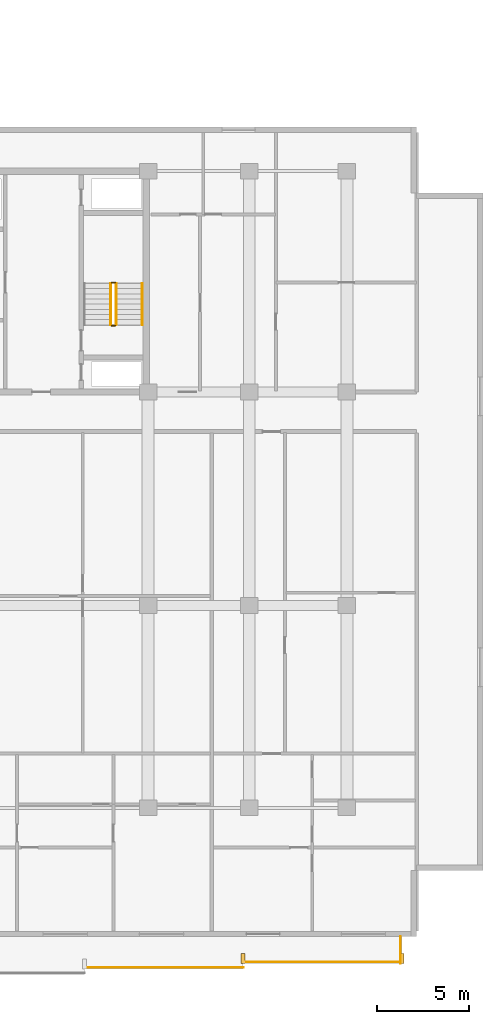
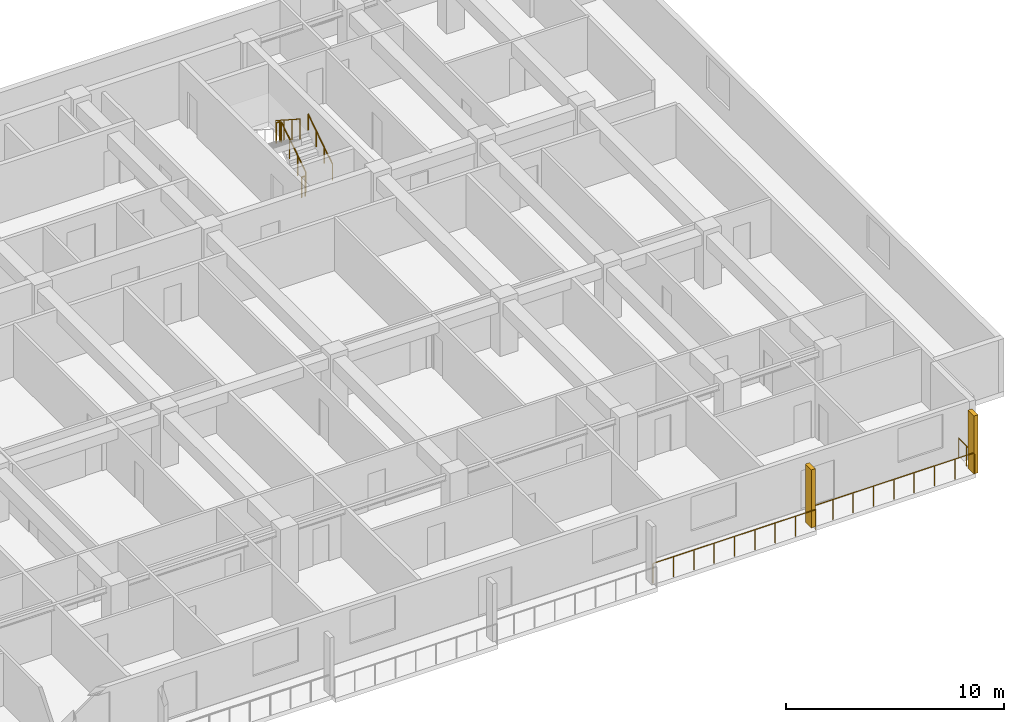
# One storey, part 22 of 24: 8 railings, 2 shading devices.
"""IFC4 building model written with IfcOpenShell, lengths in metres."""

from ifc_helpers import new_model, si_unit, direction, frame, origin, origin_2d, place, context, subcontext, project, spatial, rectangle, circle, extrude, material, type_object, element, save


model = new_model("IFC4")

# Units and contexts
model_context = context("Model", 3, precision=1e-05, world=origin(), true_north=direction((0.0, 1.0)))
body_context = subcontext(model_context, "Body", "Model", "MODEL_VIEW")
ifc_project = project(units=[si_unit("LENGTHUNIT", "METRE"), si_unit("AREAUNIT", "SQUARE_METRE"), si_unit("VOLUMEUNIT", "CUBIC_METRE"), si_unit("PLANEANGLEUNIT", "RADIAN"), si_unit("MASSUNIT", "GRAM", prefix="KILO")], contexts=[model_context])

# Site, building, storey
site_placement = place(None, origin())
site = spatial("IfcSite", under=ifc_project, at=site_placement, CompositionType="ELEMENT")
building_placement = place(site_placement, origin())
building = spatial("IfcBuilding", under=site, at=building_placement, Name="Korimba Cascade Residences", CompositionType="ELEMENT")
storey_placement = place(building_placement, frame((0.0, 0.0, 43.5)))
storey = spatial("IfcBuildingStorey", under=building, at=storey_placement, Name="L11", CompositionType="ELEMENT", Elevation=43.5)

# Railings
ifc_material_1 = material(Name="Laminated Glass and Bronze Balustrade", Category="glass")
railing_type_1 = type_object("IfcRailingType", Name="RLG-LOG-1150", PredefinedType="BALUSTRADE", material=ifc_material_1)
railing_1_placement = place(storey_placement, frame((114.642822265625, -12.8701171875, 0.0)))
element("IfcRailing", 1, at=railing_1_placement, inside=storey, type_object=railing_type_1, Name="L11 Perimeter Guardrail RLG-L11-T2-LOG-06", PredefinedType="BALUSTRADE", context=body_context, shape_type="SweptSolid", body=[
    extrude(circle(Radius=0.02392578125, at=origin_2d()), frame((0.0, 0.0, 1.1259765625), z_axis=(1.0, 0.0, 0.0), x_axis=(0.0, 1.0, 0.0)), (0.0, 0.0, 1.0), 8.628662109375),
    extrude(circle(Radius=0.02099609375, at=origin_2d()), origin(), (0.0, 0.0, 1.0), 1.101806640625),
    extrude(circle(Radius=0.02099609375, at=origin_2d()), frame((1.07861328125, 0.0, 0.0)), (0.0, 0.0, 1.0), 1.101806640625),
    extrude(circle(Radius=0.02099609375, at=origin_2d()), frame((2.1572265625, 0.0, 0.0)), (0.0, 0.0, 1.0), 1.101806640625),
    extrude(circle(Radius=0.02099609375, at=origin_2d()), frame((3.23583984375, 0.0, 0.0)), (0.0, 0.0, 1.0), 1.101806640625),
    extrude(circle(Radius=0.02099609375, at=origin_2d()), frame((4.314453125, 0.0, 0.0)), (0.0, 0.0, 1.0), 1.101806640625),
    extrude(circle(Radius=0.02099609375, at=origin_2d()), frame((5.392822265625, 0.0, 0.0)), (0.0, 0.0, 1.0), 1.101806640625),
    extrude(circle(Radius=0.02099609375, at=origin_2d()), frame((6.471435546875, 0.0, 0.0)), (0.0, 0.0, 1.0), 1.101806640625),
    extrude(circle(Radius=0.02099609375, at=origin_2d()), frame((7.550048828125, 0.0, 0.0)), (0.0, 0.0, 1.0), 1.101806640625),
    extrude(circle(Radius=0.02099609375, at=origin_2d()), frame((8.628662109375, 0.0, 0.0)), (0.0, 0.0, 1.0), 1.101806640625),
])
railing_2_placement = place(storey_placement, frame((123.271484375, -12.570068359375, 0.0)))
element("IfcRailing", 2, at=railing_2_placement, inside=storey, type_object=railing_type_1, Name="L11 Perimeter Guardrail RLG-L11-T2-LOG-07", PredefinedType="BALUSTRADE", context=body_context, shape_type="SweptSolid", body=[
    extrude(circle(Radius=0.02392578125, at=origin_2d()), frame((0.0, 0.0, 1.1259765625), z_axis=(1.0, 0.0, 0.0), x_axis=(0.0, 1.0, 0.0)), (0.0, 0.0, 1.0), 8.62841796875),
    extrude(circle(Radius=0.02099609375, at=origin_2d()), origin(), (0.0, 0.0, 1.0), 1.101806640625),
    extrude(circle(Radius=0.02099609375, at=origin_2d()), frame((1.07861328125, 0.0, 0.0)), (0.0, 0.0, 1.0), 1.101806640625),
    extrude(circle(Radius=0.02099609375, at=origin_2d()), frame((2.1572265625, 0.0, 0.0)), (0.0, 0.0, 1.0), 1.101806640625),
    extrude(circle(Radius=0.02099609375, at=origin_2d()), frame((3.235595703125, 0.0, 0.0)), (0.0, 0.0, 1.0), 1.101806640625),
    extrude(circle(Radius=0.02099609375, at=origin_2d()), frame((4.314208984375, 0.0, 0.0)), (0.0, 0.0, 1.0), 1.101806640625),
    extrude(circle(Radius=0.02099609375, at=origin_2d()), frame((5.392822265625, 0.0, 0.0)), (0.0, 0.0, 1.0), 1.101806640625),
    extrude(circle(Radius=0.02099609375, at=origin_2d()), frame((6.47119140625, 0.0, 0.0)), (0.0, 0.0, 1.0), 1.101806640625),
    extrude(circle(Radius=0.02099609375, at=origin_2d()), frame((7.5498046875, 0.0, 0.0)), (0.0, 0.0, 1.0), 1.101806640625),
    extrude(circle(Radius=0.02099609375, at=origin_2d()), frame((8.62841796875, 0.0, 0.0)), (0.0, 0.0, 1.0), 1.101806640625),
])
railing_3_placement = place(storey_placement, frame((131.820068359375, -12.64990234375, 0.0)))
element("IfcRailing", 3, at=railing_3_placement, inside=storey, type_object=railing_type_1, Name="L11 Perimeter Guardrail RLG-L11-T2-LOG-08", PredefinedType="BALUSTRADE", context=body_context, shape_type="SweptSolid", body=[
    extrude(circle(Radius=0.02392578125, at=origin_2d()), frame((0.0, 0.0, 1.1259765625), z_axis=(0.0, 1.0, 0.0), x_axis=(-1.0, 0.0, 0.0)), (0.0, 0.0, 1.0), 1.449951171875),
    extrude(circle(Radius=0.02099609375, at=origin_2d()), origin(), (0.0, 0.0, 1.0), 1.101806640625),
    extrude(circle(Radius=0.02099609375, at=origin_2d()), frame((0.0, 0.72509765625, 0.0)), (0.0, 0.0, 1.0), 1.101806640625),
    extrude(circle(Radius=0.02099609375, at=origin_2d()), frame((0.0, 1.449951171875, 0.0)), (0.0, 0.0, 1.0), 1.101806640625),
])
ifc_material_2 = material(Name="Painted Steel Stairwell Guardrail", Category="steel")
railing_type_2 = type_object("IfcRailingType", Name="RLG-ST-GD1150", PredefinedType="GUARDRAIL", material=ifc_material_2)
railing_4_placement = place(storey_placement, frame((116.3701171875, 22.050048828125, 0.1806640625)))
element("IfcRailing", 4, at=railing_4_placement, inside=storey, type_object=railing_type_2, Name="L11 ST-E2 stair guard 1", PredefinedType="GUARDRAIL", context=body_context, shape_type="SweptSolid", body=[
    extrude(circle(Radius=0.02392578125, at=origin_2d()), frame((0.0, 0.0, 1.1259765625), z_axis=(0.0, 0.840436612492, 0.541909863706), x_axis=(-1.0, 0.0, 0.0)), (0.0, 0.0, 1.0), 2.665283203125),
    extrude(circle(Radius=0.02099609375, at=origin_2d()), origin(), (0.0, 0.0, 1.0), 1.101806640625),
    extrude(circle(Radius=0.02099609375, at=origin_2d()), frame((0.0, 0.74658203125, 0.4814453125)), (0.0, 0.0, 1.0), 1.101806640625),
    extrude(circle(Radius=0.02099609375, at=origin_2d()), frame((0.0, 1.493408203125, 0.962890625)), (0.0, 0.0, 1.0), 1.101806640625),
    extrude(circle(Radius=0.02099609375, at=origin_2d()), frame((0.0, 2.239990234375, 1.4443359375)), (0.0, 0.0, 1.0), 1.101806640625),
])
railing_5_placement = place(storey_placement, frame((116.320068359375, 24.340087890625, 1.625)))
element("IfcRailing", 5, at=railing_5_placement, inside=storey, type_object=railing_type_2, Name="L11 ST-E2 stair guard 2", PredefinedType="GUARDRAIL", context=body_context, shape_type="SweptSolid", body=[
    extrude(circle(Radius=0.02392578125, at=origin_2d()), frame((0.0, 0.0, 1.1259765625), z_axis=(-1.0, 0.0, 0.0), x_axis=(0.0, -1.0, 0.0)), (0.0, 0.0, 1.0), 0.199951171875),
    extrude(circle(Radius=0.02099609375, at=origin_2d()), origin(), (0.0, 0.0, 1.0), 1.101806640625),
    extrude(circle(Radius=0.02099609375, at=origin_2d()), frame((-0.199951171875, 0.0, 0.0)), (0.0, 0.0, 1.0), 1.101806640625),
])
railing_6_placement = place(storey_placement, frame((116.070068359375, 24.2900390625, 1.8056640625)))
element("IfcRailing", 6, at=railing_6_placement, inside=storey, type_object=railing_type_2, Name="L11 ST-E2 stair guard 3", PredefinedType="GUARDRAIL", context=body_context, shape_type="SweptSolid", body=[
    extrude(circle(Radius=0.02392578125, at=origin_2d()), frame((0.0, 0.0, 1.1259765625), z_axis=(0.0, -0.840436612492, 0.541909863706), x_axis=(1.0, 0.0, 0.0)), (0.0, 0.0, 1.0), 2.665283203125),
    extrude(circle(Radius=0.02099609375, at=origin_2d()), origin(), (0.0, 0.0, 1.0), 1.101806640625),
    extrude(circle(Radius=0.02099609375, at=origin_2d()), frame((0.0, -0.74658203125, 0.4814453125)), (0.0, 0.0, 1.0), 1.101806640625),
    extrude(circle(Radius=0.02099609375, at=origin_2d()), frame((0.0, -1.493408203125, 0.962890625)), (0.0, 0.0, 1.0), 1.101806640625),
    extrude(circle(Radius=0.02099609375, at=origin_2d()), frame((0.0, -2.239990234375, 1.4443359375)), (0.0, 0.0, 1.0), 1.101806640625),
])
railing_7_placement = place(storey_placement, frame((116.320068359375, 22.0, 0.0)))
element("IfcRailing", 7, at=railing_7_placement, inside=storey, type_object=railing_type_2, Name="L11 ST-E2 stair guard 4", PredefinedType="GUARDRAIL", context=body_context, shape_type="SweptSolid", body=[
    extrude(circle(Radius=0.02392578125, at=origin_2d()), frame((0.0, 0.0, 1.1259765625), z_axis=(-1.0, 0.0, 0.0), x_axis=(0.0, -1.0, 0.0)), (0.0, 0.0, 1.0), 0.199951171875),
    extrude(circle(Radius=0.02099609375, at=origin_2d()), origin(), (0.0, 0.0, 1.0), 1.101806640625),
    extrude(circle(Radius=0.02099609375, at=origin_2d()), frame((-0.199951171875, 0.0, 0.0)), (0.0, 0.0, 1.0), 1.101806640625),
])
ifc_material_3 = material(Name="Brushed Stainless Steel Handrail", Category="steel")
railing_type_3 = type_object("IfcRailingType", Name="RLG-ST-HR900", PredefinedType="HANDRAIL", material=ifc_material_3)
railing_8_placement = place(storey_placement, frame((117.7900390625, 22.050048828125, 0.364990234375)))
element("IfcRailing", 8, at=railing_8_placement, inside=storey, type_object=railing_type_3, Name="L11 ST-E2 stair handrail 1", PredefinedType="HANDRAIL", context=body_context, shape_type="SweptSolid", body=[
    extrude(circle(Radius=0.02392578125, at=origin_2d()), frame((0.0, 0.0, 0.8759765625), z_axis=(0.0, 0.840436612492, 0.541909863706), x_axis=(-1.0, 0.0, 0.0)), (0.0, 0.0, 1.0), 2.665283203125),
    extrude(circle(Radius=0.02099609375, at=origin_2d()), origin(), (0.0, 0.0, 1.0), 0.851806640625),
    extrude(circle(Radius=0.02099609375, at=origin_2d()), frame((0.0, 0.74658203125, 0.4814453125)), (0.0, 0.0, 1.0), 0.851806640625),
    extrude(circle(Radius=0.02099609375, at=origin_2d()), frame((0.0, 1.493408203125, 0.962890625)), (0.0, 0.0, 1.0), 0.851806640625),
    extrude(circle(Radius=0.02099609375, at=origin_2d()), frame((0.0, 2.239990234375, 1.4443359375)), (0.0, 0.0, 1.0), 0.851806640625),
])

# Shading devices
ifc_material_4 = material(Name="Honed Sandstone Precast Fin", Category="masonry")
shading_device_type = type_object("IfcShadingDeviceType", Name="SHD-FIN-550", PredefinedType="USERDEFINED", material=ifc_material_4)
for number, where, z_axis, x_axis, name in (
    (9, (123.271484375, -12.375, 0.0), (0.0, 0.0, 1.0), (1.0, 0.0, 0.0), "L11 T2 Warm-Stone Loggia Fin 7"),
    (10, (131.89990234375, -12.375, 0.0), (0.0, 0.0, 1.0), (1.0, 0.0, 0.0), "L11 T2 Warm-Stone Loggia Fin 8"),
):
    element("IfcShadingDevice", number, at=place(storey_placement, frame(where, z_axis=z_axis, x_axis=x_axis)), inside=storey, type_object=shading_device_type, Name=name, ObjectType="FIN", PredefinedType="USERDEFINED", context=body_context, shape_type="SweptSolid", body=[
        extrude(rectangle(XDim=0.219970703125, YDim=0.550048828125, at=origin_2d()), origin(), (0.0, 0.0, 1.0), 3.25),
    ])

save(model, "model.ifc")
